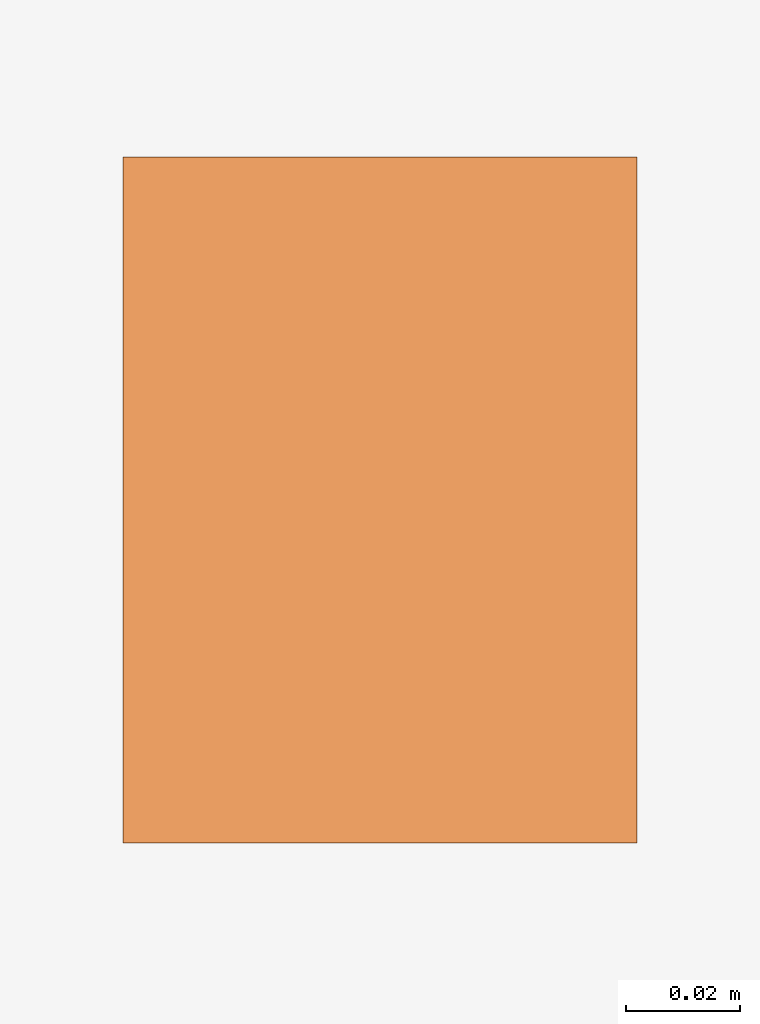
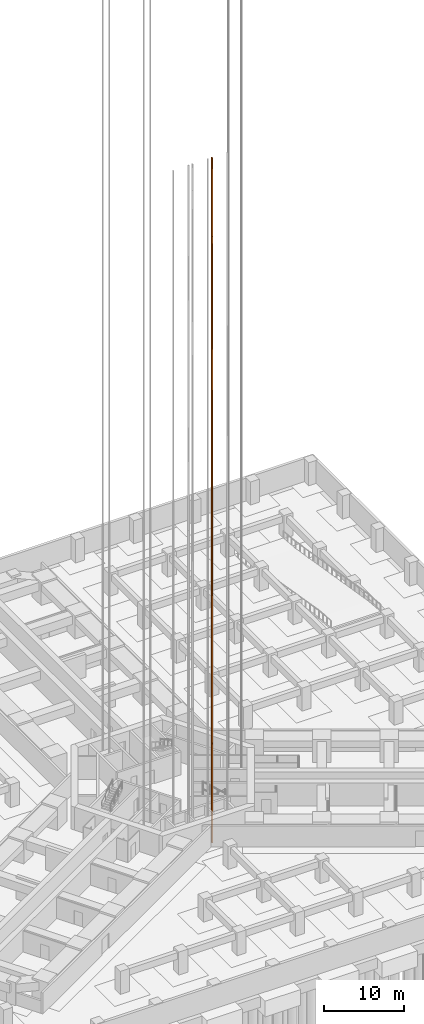
# One storey, part 67 of 73: 1 proxy.
"""IFC4 building model written with IfcOpenShell, lengths in metres."""

from ifc_helpers import new_model, si_unit, direction, frame, origin, origin_2d, place, context, subcontext, project, spatial, rectangle, extrude, material, type_object, element, save


model = new_model("IFC4")

# Units and contexts
model_context = context("Model", 3, precision=1e-05, world=origin(), true_north=direction((0.0, 1.0)))
body_context = subcontext(model_context, "Body", "Model", "MODEL_VIEW")
ifc_project = project(units=[si_unit("LENGTHUNIT", "METRE"), si_unit("AREAUNIT", "SQUARE_METRE"), si_unit("VOLUMEUNIT", "CUBIC_METRE"), si_unit("PLANEANGLEUNIT", "RADIAN"), si_unit("MASSUNIT", "GRAM", prefix="KILO")], contexts=[model_context])

# Site, building, storey
site_placement = place(None, origin())
site = spatial("IfcSite", under=ifc_project, at=site_placement, CompositionType="ELEMENT")
building_placement = place(site_placement, origin())
building = spatial("IfcBuilding", under=site, at=building_placement, Name="Impinga Residences", CompositionType="ELEMENT")
storey_placement = place(building_placement, frame((0.0, 0.0, -10.5)))
storey = spatial("IfcBuildingStorey", under=building, at=storey_placement, Name="B3", CompositionType="ELEMENT", Elevation=-10.5)

# Proxy
ifc_material = material(Name="Steel lift guide rail, galvanised", Category="steel")
building_element_proxy_type = type_object("IfcBuildingElementProxyType", Name="LGR lift guide rail", PredefinedType="USERDEFINED", material=ifc_material)
proxy_placement = place(storey_placement, frame((1.695068359375, -9.381591796875, -1.60009765625), z_axis=(0.0, 0.0, 1.0), x_axis=(1.0, 0.0, 0.0)))
element("IfcBuildingElementProxy", 1, at=proxy_placement, inside=storey, type_object=building_element_proxy_type, Name="Guide rail P1 1", ObjectType="Lift guide rail", PredefinedType="USERDEFINED", context=body_context, shape_type="SweptSolid", body=[
    extrude(rectangle(XDim=0.090087890625, YDim=0.1201171875, at=origin_2d()), origin(), (0.0, 0.0, 1.0), 104.25),
])

save(model, "model.ifc")
